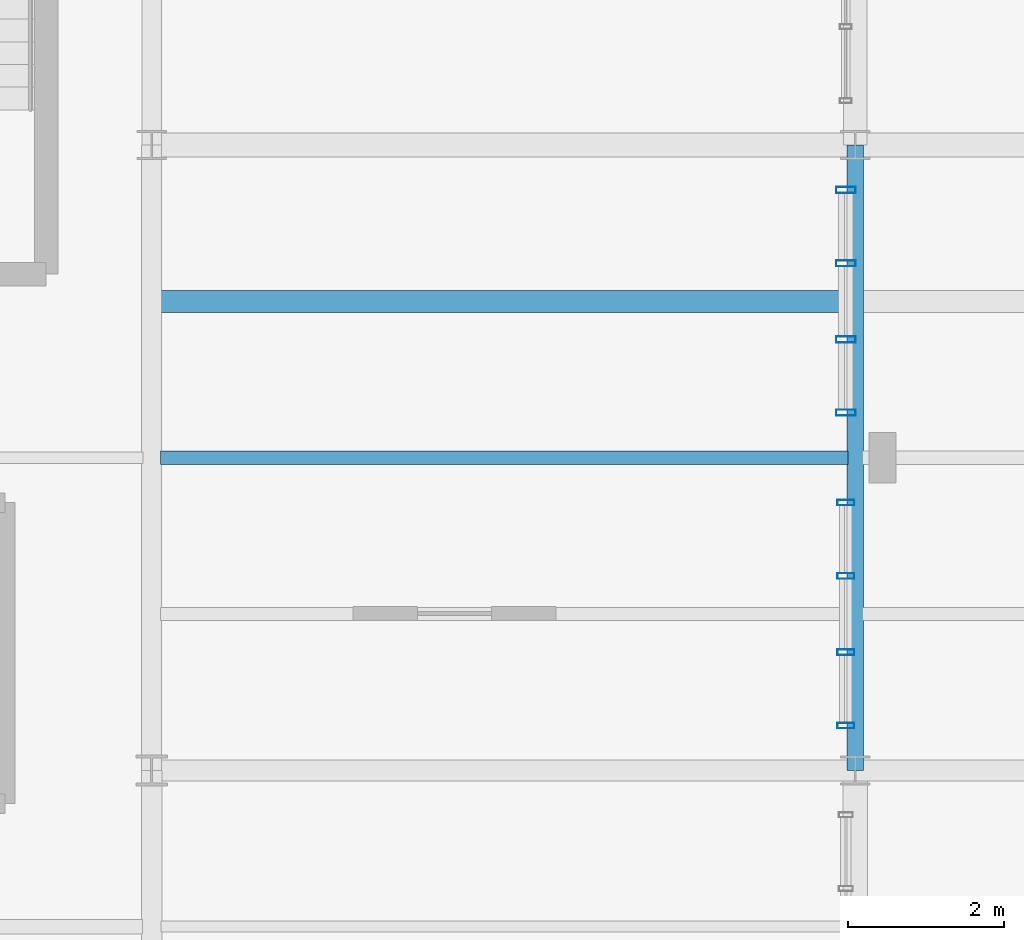
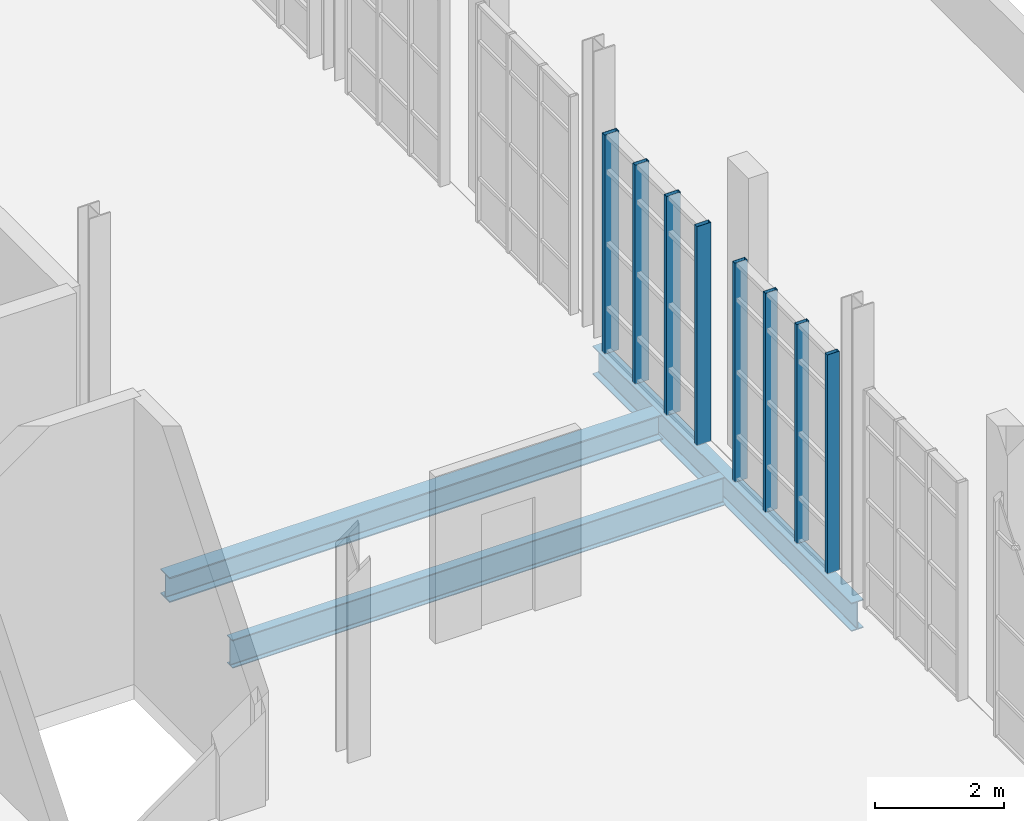
# One storey, part 78 of 142: 8 members, 3 beams, 2 elements without a shape of their own.
"""IFC4 building model written with IfcOpenShell, lengths in metres."""

from ifc_helpers import new_model, si_unit, direction, frame, origin, origin_2d, place, context, subcontext, project, spatial, hollow_rectangle, i_section, extrude, material, layer, layer_set, material_profile, profile_set, type_object, element, aggregate, save


model = new_model("IFC4")

# Units and contexts
model_context = context("Model", 3, precision=1e-05, world=origin(), true_north=direction((0.0, 1.0)))
body_context = subcontext(model_context, "Body", "Model", "MODEL_VIEW")
ifc_project = project(units=[si_unit("LENGTHUNIT", "METRE"), si_unit("AREAUNIT", "SQUARE_METRE"), si_unit("VOLUMEUNIT", "CUBIC_METRE"), si_unit("PLANEANGLEUNIT", "RADIAN"), si_unit("MASSUNIT", "GRAM", prefix="KILO"), si_unit("THERMODYNAMICTEMPERATUREUNIT", "KELVIN"), si_unit("POWERUNIT", "WATT")], contexts=[model_context])

# Site, building, storey
site_placement = place(None, origin())
site = spatial("IfcSite", under=ifc_project, at=site_placement, CompositionType="ELEMENT")
building_placement = place(site_placement, origin())
building = spatial("IfcBuilding", under=site, at=building_placement, Name="Zelmaris Science Centre", CompositionType="ELEMENT")
storey_placement = place(building_placement, frame((0.0, 0.0, 5.39990234375)))
storey = spatial("IfcBuildingStorey", under=building, at=storey_placement, Name="L01", CompositionType="ELEMENT", Elevation=5.39990234375)

# Curtain wall, members
ifc_material_1 = material(Name="Anodised architectural aluminium 6063-T6", Category="aluminium")
ifc_layer_1 = layer(ifc_material_1, 0.199951171875, Name="Anodised architectural aluminium 6063-T6")
ifc_layer_set_1 = layer_set([ifc_layer_1], Name="Anodised architectural aluminium 6063-T6")
curtain_wall_type_1 = type_object("IfcCurtainWallType", Name="Curtain Wall CW-02", PredefinedType="USERDEFINED", material=ifc_layer_set_1)
curtain_wall_1_placement = place(storey_placement, origin())
curtain_wall_1 = element("IfcCurtainWall", 1, at=curtain_wall_1_placement, inside=storey, type_object=curtain_wall_type_1, Name="L01 Unitised curtain wall 154", ObjectType="GLAZED CURTAIN WALL", PredefinedType="USERDEFINED")
ifc_material_profile_1 = material_profile(ifc_material_1, hollow_rectangle(XDim=0.074951171875, YDim=0.219970703125, WallThickness=0.0048828125, at=origin_2d()), Name="ALU-MUL-75X220")
ifc_profile_set_1 = profile_set([ifc_material_profile_1], Name="Anodised architectural aluminium 6063-T6")
member_type_1 = type_object("IfcMemberType", Name="ALU-MUL-75X220", PredefinedType="MULLION", material=ifc_profile_set_1)
member_1_placement = place(storey_placement, frame((143.8798828125, 35.426513671875, -0.014892578125), z_axis=(0.0, 0.0, 1.0), x_axis=(0.0, -1.0, 0.0)))
member_1 = element("IfcMember", 2, at=member_1_placement, type_object=member_type_1, Name="CW-02 mullion 1", PredefinedType="MULLION", context=body_context, shape_type="SweptSolid", body=[
    extrude(hollow_rectangle(XDim=0.074951171875, YDim=0.219970703125, WallThickness=0.0048828125, at=origin_2d()), origin(), (0.0, 0.0, 1.0), 4.12890625),
])
member_2_placement = place(storey_placement, frame((143.8798828125, 34.486572265625, -0.014892578125), z_axis=(0.0, 0.0, 1.0), x_axis=(0.0, -1.0, 0.0)))
member_2 = element("IfcMember", 3, at=member_2_placement, type_object=member_type_1, Name="CW-02 mullion 2", PredefinedType="MULLION", context=body_context, shape_type="SweptSolid", body=[
    extrude(hollow_rectangle(XDim=0.074951171875, YDim=0.219970703125, WallThickness=0.0048828125, at=origin_2d()), origin(), (0.0, 0.0, 1.0), 4.12890625),
])
member_3_placement = place(storey_placement, frame((143.8798828125, 33.513427734375, -0.014892578125), z_axis=(0.0, 0.0, 1.0), x_axis=(0.0, -1.0, 0.0)))
member_3 = element("IfcMember", 4, at=member_3_placement, type_object=member_type_1, Name="CW-02 mullion 3", PredefinedType="MULLION", context=body_context, shape_type="SweptSolid", body=[
    extrude(hollow_rectangle(XDim=0.074951171875, YDim=0.219970703125, WallThickness=0.0048828125, at=origin_2d()), origin(), (0.0, 0.0, 1.0), 4.12890625),
])
member_4_placement = place(storey_placement, frame((143.8798828125, 32.573486328125, -0.014892578125), z_axis=(0.0, 0.0, 1.0), x_axis=(0.0, -1.0, 0.0)))
member_4 = element("IfcMember", 5, at=member_4_placement, type_object=member_type_1, Name="CW-02 mullion 4", PredefinedType="MULLION", context=body_context, shape_type="SweptSolid", body=[
    extrude(hollow_rectangle(XDim=0.074951171875, YDim=0.219970703125, WallThickness=0.0048828125, at=origin_2d()), origin(), (0.0, 0.0, 1.0), 4.12890625),
])
aggregate(curtain_wall_1, [member_1, member_2, member_3, member_4])

ifc_layer_2 = layer(ifc_material_1, 0.18994140625, Name="Anodised architectural aluminium 6063-T6")
ifc_layer_set_2 = layer_set([ifc_layer_2], Name="Anodised architectural aluminium 6063-T6")
curtain_wall_type_2 = type_object("IfcCurtainWallType", Name="Curtain Wall CW-01", PredefinedType="USERDEFINED", material=ifc_layer_set_2)
curtain_wall_2_placement = place(storey_placement, origin())
curtain_wall_2 = element("IfcCurtainWall", 6, at=curtain_wall_2_placement, inside=storey, type_object=curtain_wall_type_2, Name="L01 Unitised curtain wall 153", ObjectType="GLAZED CURTAIN WALL", PredefinedType="USERDEFINED")
ifc_material_profile_2 = material_profile(ifc_material_1, hollow_rectangle(XDim=0.080078125, YDim=0.25, WallThickness=0.0048828125, at=origin_2d()), Name="ALU-MUL-80X250")
ifc_profile_set_2 = profile_set([ifc_material_profile_2], Name="Anodised architectural aluminium 6063-T6")
member_type_2 = type_object("IfcMemberType", Name="ALU-MUL-80X250", PredefinedType="MULLION", material=ifc_profile_set_2)
member_5_placement = place(storey_placement, frame((143.8798828125, 39.424072265625, -0.014892578125), z_axis=(0.0, 0.0, 1.0), x_axis=(0.0, -1.0, 0.0)))
member_5 = element("IfcMember", 7, at=member_5_placement, type_object=member_type_2, Name="CW-01 mullion 1", PredefinedType="MULLION", context=body_context, shape_type="SweptSolid", body=[
    extrude(hollow_rectangle(XDim=0.080078125, YDim=0.25, WallThickness=0.0048828125, at=origin_2d()), origin(), (0.0, 0.0, 1.0), 4.12890625),
])
member_6_placement = place(storey_placement, frame((143.8798828125, 38.486572265625, -0.014892578125), z_axis=(0.0, 0.0, 1.0), x_axis=(0.0, -1.0, 0.0)))
member_6 = element("IfcMember", 8, at=member_6_placement, type_object=member_type_2, Name="CW-01 mullion 2", PredefinedType="MULLION", context=body_context, shape_type="SweptSolid", body=[
    extrude(hollow_rectangle(XDim=0.080078125, YDim=0.25, WallThickness=0.0048828125, at=origin_2d()), origin(), (0.0, 0.0, 1.0), 4.12890625),
])
member_7_placement = place(storey_placement, frame((143.8798828125, 37.513427734375, -0.014892578125), z_axis=(0.0, 0.0, 1.0), x_axis=(0.0, -1.0, 0.0)))
member_7 = element("IfcMember", 9, at=member_7_placement, type_object=member_type_2, Name="CW-01 mullion 3", PredefinedType="MULLION", context=body_context, shape_type="SweptSolid", body=[
    extrude(hollow_rectangle(XDim=0.080078125, YDim=0.25, WallThickness=0.0048828125, at=origin_2d()), origin(), (0.0, 0.0, 1.0), 4.12890625),
])
member_8_placement = place(storey_placement, frame((143.8798828125, 36.575927734375, -0.014892578125), z_axis=(0.0, 0.0, 1.0), x_axis=(0.0, -1.0, 0.0)))
member_8 = element("IfcMember", 10, at=member_8_placement, type_object=member_type_2, Name="CW-01 mullion 4", PredefinedType="MULLION", context=body_context, shape_type="SweptSolid", body=[
    extrude(hollow_rectangle(XDim=0.080078125, YDim=0.25, WallThickness=0.0048828125, at=origin_2d()), origin(), (0.0, 0.0, 1.0), 4.12890625),
])
aggregate(curtain_wall_2, [member_5, member_6, member_7, member_8])

# Beams
ifc_material_2 = material(Name="Steel ASTM A992 Grade 50", Category="steel")
ifc_material_profile_3 = material_profile(ifc_material_2, i_section(OverallWidth=0.2109375, OverallDepth=0.5380859375, WebThickness=0.01171875, FlangeThickness=0.018798828125, FilletRadius=0.013916015625, at=origin_2d()), Name="W21X73")
ifc_profile_set_3 = profile_set([ifc_material_profile_3], Name="Steel ASTM A992 Grade 50")
beam_type_1 = type_object("IfcBeamType", Name="Beam G-19 W21X73", PredefinedType="BEAM", material=ifc_profile_set_3)
beam_1_placement = place(storey_placement, frame((144.0, 32.0, -0.548828125), z_axis=(0.0, 1.0, 0.0), x_axis=(-1.0, 0.0, 0.0)))
element("IfcBeam", 11, at=beam_1_placement, inside=storey, type_object=beam_type_1, Name="L01 North-south girder 322", PredefinedType="BEAM", context=body_context, shape_type="SweptSolid", body=[
    extrude(i_section(OverallWidth=0.2109375, OverallDepth=0.5380859375, WebThickness=0.01171875, FlangeThickness=0.018798828125, FilletRadius=0.013916015625, at=origin_2d()), origin(), (0.0, 0.0, 1.0), 8.0),
])
ifc_material_profile_4 = material_profile(ifc_material_2, i_section(OverallWidth=0.16796875, OverallDepth=0.532958984375, WebThickness=0.01025390625, FlangeThickness=0.0166015625, FilletRadius=0.013916015625, at=origin_2d()), Name="W21X57")
ifc_profile_set_4 = profile_set([ifc_material_profile_4], Name="Steel ASTM A992 Grade 50")
beam_type_2 = type_object("IfcBeamType", Name="Beam J-01 W21X57", PredefinedType="JOIST", material=ifc_profile_set_4)
beam_2_placement = place(storey_placement, frame((135.113525390625, 36.0, -0.54638671875), z_axis=(1.0, 0.0, 0.0), x_axis=(0.0, 1.0, 0.0)))
element("IfcBeam", 12, at=beam_2_placement, inside=storey, type_object=beam_type_2, Name="L01 Composite floor joist 207", PredefinedType="JOIST", context=body_context, shape_type="SweptSolid", body=[
    extrude(i_section(OverallWidth=0.16796875, OverallDepth=0.532958984375, WebThickness=0.01025390625, FlangeThickness=0.0166015625, FilletRadius=0.013916015625, at=origin_2d()), origin(), (0.0, 0.0, 1.0), 8.7958984375),
])
ifc_material_profile_5 = material_profile(ifc_material_2, i_section(OverallWidth=0.281982421875, OverallDepth=0.471923828125, WebThickness=0.013671875, FlangeThickness=0.022216796875, FilletRadius=0.012939453125, at=origin_2d()), Name="W18X97")
ifc_profile_set_5 = profile_set([ifc_material_profile_5], Name="Steel ASTM A992 Grade 50")
beam_type_3 = type_object("IfcBeamType", Name="Beam J-02 W18X97", PredefinedType="JOIST", material=ifc_profile_set_5)
beam_3_placement = place(storey_placement, frame((135.113525390625, 38.0, -0.515869140625), z_axis=(1.0, 0.0, 0.0), x_axis=(0.0, 1.0, 0.0)))
element("IfcBeam", 13, at=beam_3_placement, inside=storey, type_object=beam_type_3, Name="L01 Composite floor joist 208", PredefinedType="JOIST", context=body_context, shape_type="SweptSolid", body=[
    extrude(i_section(OverallWidth=0.281982421875, OverallDepth=0.471923828125, WebThickness=0.013671875, FlangeThickness=0.022216796875, FilletRadius=0.012939453125, at=origin_2d()), origin(), (0.0, 0.0, 1.0), 8.7958984375),
])

save(model, "model.ifc")
